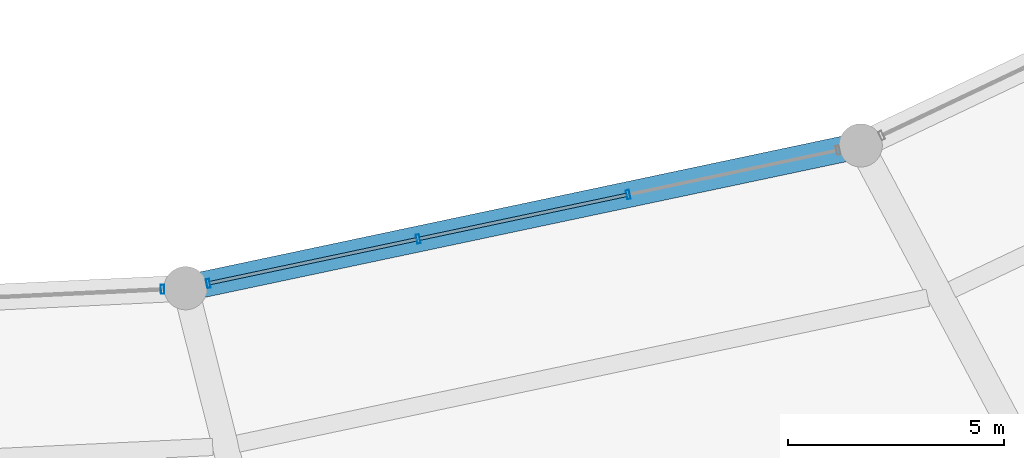
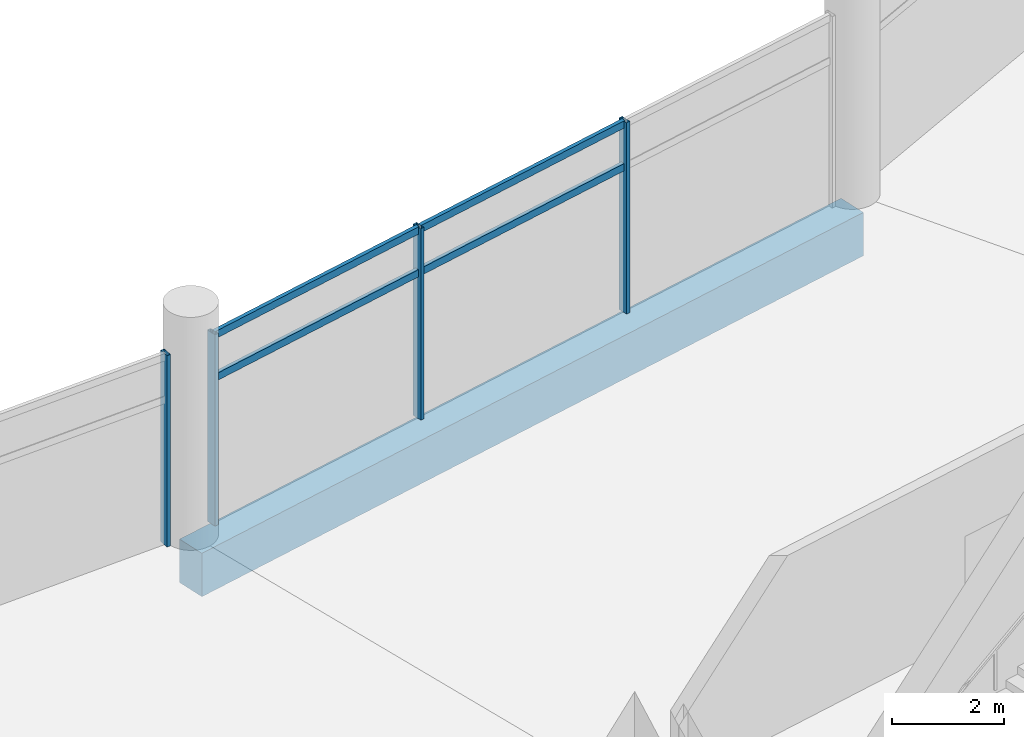
# One storey, part 33 of 184: 8 members, 1 beam, 2 elements without a shape of their own.
"""IFC4 building model written with IfcOpenShell, lengths in metres."""

from ifc_helpers import new_model, si_unit, direction, frame, origin, origin_2d, place, context, subcontext, project, spatial, rectangle, hollow_rectangle, extrude, material, layer, layer_set, material_profile, profile_set, type_object, element, aggregate, save


model = new_model("IFC4")

# Units and contexts
model_context = context("Model", 3, precision=1e-05, world=origin(), true_north=direction((0.0, 1.0)))
body_context = subcontext(model_context, "Body", "Model", "MODEL_VIEW")
ifc_project = project(units=[si_unit("LENGTHUNIT", "METRE"), si_unit("AREAUNIT", "SQUARE_METRE"), si_unit("VOLUMEUNIT", "CUBIC_METRE"), si_unit("PLANEANGLEUNIT", "RADIAN"), si_unit("MASSUNIT", "GRAM", prefix="KILO")], contexts=[model_context])

# Site, building, storey
site_placement = place(None, origin())
site = spatial("IfcSite", under=ifc_project, at=site_placement, CompositionType="ELEMENT")
building_placement = place(site_placement, origin())
building = spatial("IfcBuilding", under=site, at=building_placement, Name="Kazemori Nagisa Stadium", CompositionType="ELEMENT")
storey_placement = place(building_placement, frame((0.0, 0.0, 10.5400390625)))
storey = spatial("IfcBuildingStorey", under=building, at=storey_placement, Name="L02", CompositionType="ELEMENT", Elevation=10.5400390625)

# Beam
ifc_material_1 = material(Name="Concrete C40/50 (Fc42)", Category="concrete")
ifc_material_profile_1 = material_profile(ifc_material_1, rectangle(XDim=0.60009765625, YDim=0.949951171875, at=origin_2d()), Name="RC-BM-600x950")
ifc_profile_set_1 = profile_set([ifc_material_profile_1], Name="Concrete C40/50 (Fc42)")
beam_type = type_object("IfcBeamType", Name="Beam_BG-RC600X950", PredefinedType="BEAM", material=ifc_profile_set_1)
beam_placement = place(storey_placement, frame((138.64208984375, 39.959716796875, -0.735107421875), z_axis=(0.978348272746, 0.206965352692, 0.0), x_axis=(-0.206965352692, 0.978348272746, 0.0)))
element("IfcBeam", 1, at=beam_placement, inside=storey, type_object=beam_type, Name="Ring girder BG-RC600X950 L02 R1-23", PredefinedType="BEAM", context=body_context, shape_type="SweptSolid", body=[
    extrude(rectangle(XDim=0.60009765625, YDim=0.949951171875, at=origin_2d()), origin(), (0.0, 0.0, 1.0), 15.950927734375),
])

# Curtain wall, member
ifc_material_2 = material(Name="Anodised aluminium 6063-T5", Category="aluminium")
ifc_layer_1 = layer(ifc_material_2, 0.2099609375, Name="Anodised aluminium 6063-T5", Category="aluminium")
ifc_layer_set_1 = layer_set([ifc_layer_1], Name="Anodised aluminium 6063-T5")
curtain_wall_type_1 = type_object("IfcCurtainWallType", Name="CW_L02B_73", PredefinedType="USERDEFINED", material=ifc_layer_set_1)
curtain_wall_1_placement = place(storey_placement, origin())
curtain_wall_1 = element("IfcCurtainWall", 2, at=curtain_wall_1_placement, inside=storey, type_object=curtain_wall_type_1, Name="Unitised curtain wall CW-L02B-73 L02", ObjectType="UNITISED CURTAIN WALL", PredefinedType="USERDEFINED")
ifc_material_3 = material(Name="Aluminium 6063-T5 anodised", Category="aluminium")
ifc_material_profile_2 = material_profile(ifc_material_3, hollow_rectangle(XDim=0.080078125, YDim=0.2099609375, WallThickness=0.0048828125, at=origin_2d()), Name="ALU-MULL-80x210x5")
ifc_profile_set_2 = profile_set([ifc_material_profile_2], Name="Aluminium 6063-T5 anodised")
member_type_1 = type_object("IfcMemberType", Name="Mullion_M02", PredefinedType="MULLION", material=ifc_profile_set_2)
member_1_placement = place(storey_placement, frame((138.10791015625, 39.934326171875, 0.0), z_axis=(0.0, 0.0, 1.0), x_axis=(0.998884022476, 0.047230388971, 0.0)))
member_1 = element("IfcMember", 3, at=member_1_placement, type_object=member_type_1, Name="Curtain wall mullion CW-L02B-73-M4", PredefinedType="MULLION", context=body_context, shape_type="SweptSolid", body=[
    extrude(hollow_rectangle(XDim=0.080078125, YDim=0.2099609375, WallThickness=0.0048828125, at=origin_2d()), origin(), (0.0, 0.0, 1.0), 4.18994140625),
])
aggregate(curtain_wall_1, [member_1])

# Curtain wall, members
ifc_layer_2 = layer(ifc_material_2, 0.2099609375, Name="Anodised aluminium 6063-T5", Category="aluminium")
ifc_layer_set_2 = layer_set([ifc_layer_2], Name="Anodised aluminium 6063-T5")
curtain_wall_type_2 = type_object("IfcCurtainWallType", Name="CW_L02B_75", PredefinedType="USERDEFINED", material=ifc_layer_set_2)
curtain_wall_2_placement = place(storey_placement, origin())
curtain_wall_2 = element("IfcCurtainWall", 4, at=curtain_wall_2_placement, inside=storey, type_object=curtain_wall_type_2, Name="Unitised curtain wall CW-L02B-75 L02", ObjectType="UNITISED CURTAIN WALL", PredefinedType="USERDEFINED")
member_2_placement = place(storey_placement, frame((139.16552734375, 40.0703125, 0.0), z_axis=(0.0, 0.0, 1.0), x_axis=(0.978344955407, 0.206981033502, 0.0)))
member_2 = element("IfcMember", 5, at=member_2_placement, type_object=member_type_1, Name="Curtain wall mullion CW-L02B-75-M1", PredefinedType="MULLION", context=body_context, shape_type="SweptSolid", body=[
    extrude(hollow_rectangle(XDim=0.080078125, YDim=0.2099609375, WallThickness=0.0048828125, at=origin_2d()), origin(), (0.0, 0.0, 1.0), 4.18994140625),
])
member_3_placement = place(storey_placement, frame((144.018310546875, 41.096923828125, 0.0), z_axis=(0.0, 0.0, 1.0), x_axis=(0.978344955407, 0.206981033502, 0.0)))
member_3 = element("IfcMember", 6, at=member_3_placement, type_object=member_type_1, Name="Curtain wall mullion CW-L02B-75-M2", PredefinedType="MULLION", context=body_context, shape_type="SweptSolid", body=[
    extrude(hollow_rectangle(XDim=0.080078125, YDim=0.2099609375, WallThickness=0.0048828125, at=origin_2d()), origin(), (0.0, 0.0, 1.0), 4.18994140625),
])
member_4_placement = place(storey_placement, frame((148.871337890625, 42.123779296875, 0.0), z_axis=(0.0, 0.0, 1.0), x_axis=(0.978344955407, 0.206981033502, 0.0)))
member_4 = element("IfcMember", 7, at=member_4_placement, type_object=member_type_1, Name="Curtain wall mullion CW-L02B-75-M3", PredefinedType="MULLION", context=body_context, shape_type="SweptSolid", body=[
    extrude(hollow_rectangle(XDim=0.080078125, YDim=0.2099609375, WallThickness=0.0048828125, at=origin_2d()), origin(), (0.0, 0.0, 1.0), 4.18994140625),
])
ifc_material_profile_3 = material_profile(ifc_material_3, hollow_rectangle(XDim=0.080078125, YDim=0.159912109375, WallThickness=0.00390625, at=origin_2d()), Name="ALU-TRAN-80x160x4")
ifc_profile_set_3 = profile_set([ifc_material_profile_3], Name="Aluminium 6063-T5 anodised")
member_type_2 = type_object("IfcMemberType", Name="Transom_T02", PredefinedType="USERDEFINED", material=ifc_profile_set_3)
member_5_placement = place(storey_placement, frame((139.185302734375, 40.074462890625, 3.184326171875), z_axis=(0.978346611518, 0.206973205348, 0.0), x_axis=(-0.206973205348, 0.978346611518, 0.0)))
member_5 = element("IfcMember", 8, at=member_5_placement, type_object=member_type_2, Name="Curtain wall transom CW-L02B-75-T1-mid", ObjectType="TRANSOM", PredefinedType="USERDEFINED", context=body_context, shape_type="SweptSolid", body=[
    extrude(hollow_rectangle(XDim=0.080078125, YDim=0.159912109375, WallThickness=0.00390625, at=origin_2d()), origin(), (0.0, 0.0, 1.0), 4.919921875),
])
member_6_placement = place(storey_placement, frame((139.185302734375, 40.074462890625, 4.119873046875), z_axis=(0.978346611518, 0.206973205348, 0.0), x_axis=(-0.206973205348, 0.978346611518, 0.0)))
member_6 = element("IfcMember", 9, at=member_6_placement, type_object=member_type_2, Name="Curtain wall transom CW-L02B-75-T1-head", ObjectType="TRANSOM", PredefinedType="USERDEFINED", context=body_context, shape_type="SweptSolid", body=[
    extrude(hollow_rectangle(XDim=0.080078125, YDim=0.159912109375, WallThickness=0.00390625, at=origin_2d()), origin(), (0.0, 0.0, 1.0), 4.919921875),
])
member_7_placement = place(storey_placement, frame((144.0380859375, 41.10107421875, 3.184326171875), z_axis=(0.978336562441, 0.207020700878, 0.0), x_axis=(-0.207020700878, 0.978336562441, 0.0)))
member_7 = element("IfcMember", 10, at=member_7_placement, type_object=member_type_2, Name="Curtain wall transom CW-L02B-75-T2-mid", ObjectType="TRANSOM", PredefinedType="USERDEFINED", context=body_context, shape_type="SweptSolid", body=[
    extrude(hollow_rectangle(XDim=0.080078125, YDim=0.159912109375, WallThickness=0.00390625, at=origin_2d()), origin(), (0.0, 0.0, 1.0), 4.920166015625),
])
member_8_placement = place(storey_placement, frame((144.0380859375, 41.10107421875, 4.119873046875), z_axis=(0.978336562441, 0.207020700878, 0.0), x_axis=(-0.207020700878, 0.978336562441, 0.0)))
member_8 = element("IfcMember", 11, at=member_8_placement, type_object=member_type_2, Name="Curtain wall transom CW-L02B-75-T2-head", ObjectType="TRANSOM", PredefinedType="USERDEFINED", context=body_context, shape_type="SweptSolid", body=[
    extrude(hollow_rectangle(XDim=0.080078125, YDim=0.159912109375, WallThickness=0.00390625, at=origin_2d()), origin(), (0.0, 0.0, 1.0), 4.920166015625),
])
aggregate(curtain_wall_2, [member_2, member_3, member_4, member_5, member_6, member_7, member_8])

save(model, "model.ifc")
